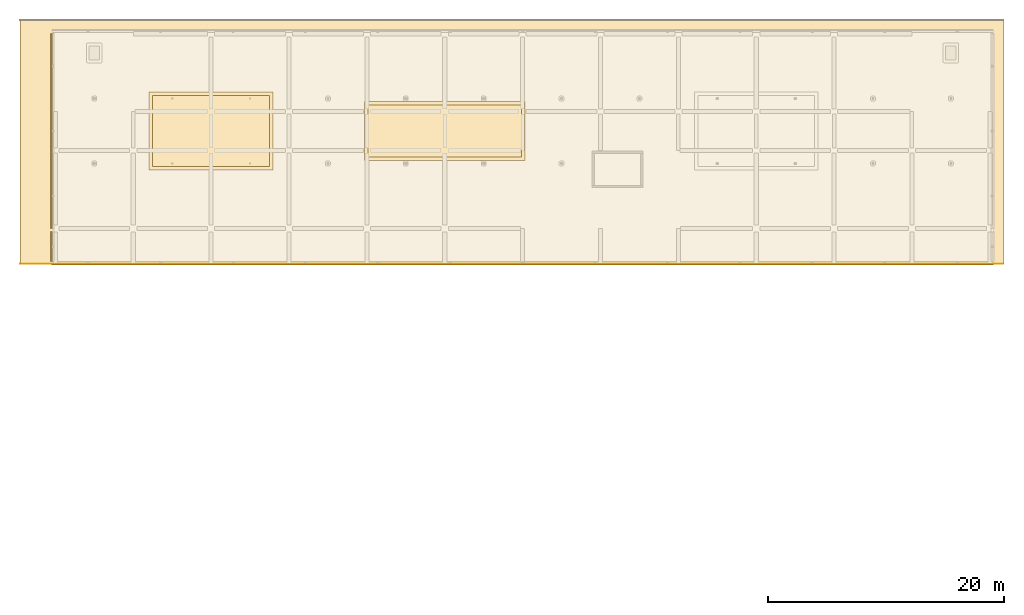
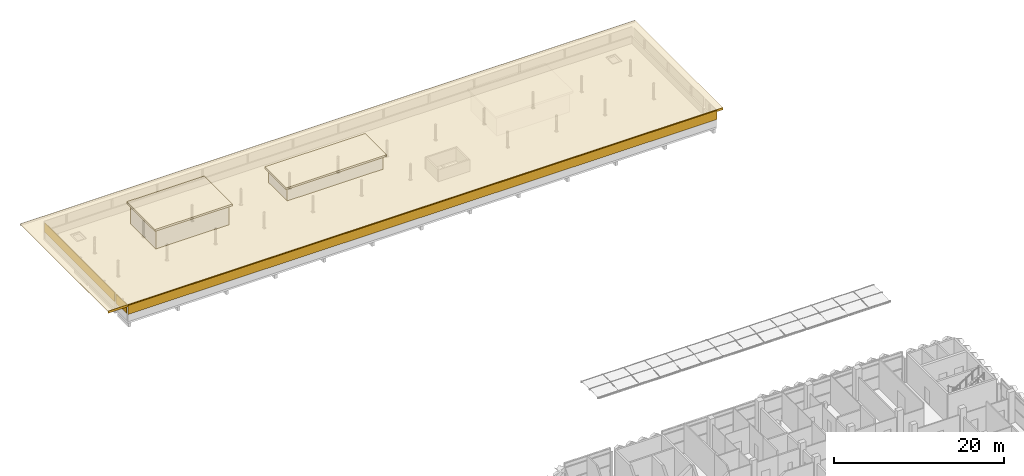
# One storey, part 59 of 61: 10 coverings.
"""IFC4 building model written with IfcOpenShell, lengths in metres."""

import ifcopenshell
import ifcopenshell.guid

model = None  # the IFC model being written
_history = None  # IfcOwnerHistory: only IFC2X3 demands one
_inside = {}  # id of a spatial element -> (the spatial element, [elements in it])
_under = {}  # id of a project, library or spatial element -> (it, [spatial elements below it])
_declared = {}  # id of a project -> (the project, [libraries it declares])
_typed = {}  # id of a type object -> (the type object, [elements of that type])
_made_of = {}  # id of a material, layer set ... -> (it, [elements and type objects made of it])


def new_model(schema):
    """Start an empty IFC model of exactly this schema.

    Asked for "IFC4X3", IfcOpenShell would pick the latest addendum, in which some entities
    have other attributes; the version numbers below select the first issue.
    IFC2X3 requires an IfcOwnerHistory on every rooted entity: one is made here for all.
    """
    global model, _history
    if schema == "IFC4X3":
        model = ifcopenshell.file(schema_version=(4, 3, 0, 0))
    else:
        model = ifcopenshell.file(schema=schema)
    _inside.clear()
    _under.clear()
    _declared.clear()
    _typed.clear()
    _made_of.clear()
    _history = None
    if model.schema == "IFC2X3":
        org = make("IfcOrganization", Name="unknown")
        user = make(
            "IfcPersonAndOrganization",
            ThePerson=make("IfcPerson", FamilyName="unknown"),
            TheOrganization=org,
        )
        app = make(
            "IfcApplication",
            ApplicationDeveloper=org,
            Version="unknown",
            ApplicationFullName="unknown",
            ApplicationIdentifier="unknown",
        )
        _history = make(
            "IfcOwnerHistory",
            OwningUser=user,
            OwningApplication=app,
            ChangeAction="ADDED",
            CreationDate=0,
        )
    return model


def make(cls, **values):
    """One entity of the class cls with the attributes given. An attribute that is None is left unset."""
    return model.create_entity(
        cls, **{name: value for name, value in values.items() if value is not None}
    )


def rooted(cls, **values):
    """An entity with a GlobalId (a new one), such as an element, a storey or a relation."""
    return make(cls, GlobalId=ifcopenshell.guid.new(), OwnerHistory=_history, **values)


def si_unit(unit_type, name, prefix=None):
    """IfcSIUnit, for example si_unit("LENGTHUNIT", "METRE", prefix="MILLI")."""
    return make("IfcSIUnit", UnitType=unit_type, Prefix=prefix, Name=name)


def assignment(units):
    """IfcUnitAssignment: the units of a project."""
    return None if units is None else make("IfcUnitAssignment", Units=units)


def point(xyz):
    """IfcCartesianPoint."""
    return None if xyz is None else make("IfcCartesianPoint", Coordinates=xyz)


def direction(xyz):
    """IfcDirection."""
    return None if xyz is None else make("IfcDirection", DirectionRatios=xyz)


def frame(location, z_axis=None, x_axis=None):
    """IfcAxis2Placement3D, a coordinate frame: its origin and axes. An axis left out is left unset."""
    return make(
        "IfcAxis2Placement3D",
        Location=point(location),
        Axis=direction(z_axis),
        RefDirection=direction(x_axis),
    )


def frame_2d(location, x_axis=None):
    """IfcAxis2Placement2D, a coordinate frame in the plane: its origin and x axis."""
    return make(
        "IfcAxis2Placement2D", Location=point(location), RefDirection=direction(x_axis)
    )


def origin():
    """The frame at (0, 0, 0) with its axes left unset."""
    return frame((0.0, 0.0, 0.0))


def origin_2d():
    """The frame at (0, 0) in the plane with its x axis left unset."""
    return frame_2d((0.0, 0.0))


def place(relative_to, where):
    """IfcLocalPlacement: puts the frame where relative to a parent placement (None: the world)."""
    return make(
        "IfcLocalPlacement", PlacementRelTo=relative_to, RelativePlacement=where
    )


def context(
    kind, dimensions, precision=None, world=None, true_north=None, identifier=None
):
    """IfcGeometricRepresentationContext, for example the 3D "Model" context."""
    return make(
        "IfcGeometricRepresentationContext",
        ContextIdentifier=identifier,
        ContextType=kind,
        CoordinateSpaceDimension=dimensions,
        Precision=precision,
        WorldCoordinateSystem=world,
        TrueNorth=true_north,
    )


def subcontext(parent, identifier, kind, view, scale=None):
    """IfcGeometricRepresentationSubContext, for example "Body" below "Model"."""
    return make(
        "IfcGeometricRepresentationSubContext",
        ContextIdentifier=identifier,
        ContextType=kind,
        ParentContext=parent,
        TargetScale=scale,
        TargetView=view,
    )


def project(units=None, contexts=None):
    """IfcProject with its units and contexts."""
    return rooted(
        "IfcProject",
        Name="project",
        RepresentationContexts=contexts,
        UnitsInContext=assignment(units),
    )


def spatial(cls, under=None, at=None, **own):
    """A site, building, storey or space (cls), placed at a placement, below another one or the project."""
    s = rooted(cls, ObjectPlacement=at, **own)
    if under is not None:
        _under.setdefault(under.id(), (under, []))[1].append(s)
    return s


def polyline(points):
    """IfcPolyline through the points."""
    return make("IfcPolyline", Points=[point(p) for p in points])


def profile(cls, at=None, kind="AREA", **sizes):
    """A parametric profile (cls). Its sizes go by their IFC names, for example OverallWidth=200.0."""
    return make(cls, ProfileType=kind, Position=at, **sizes)


def rectangle(**sizes):
    """IfcRectangleProfileDef."""
    return profile("IfcRectangleProfileDef", **sizes)


def outline(outer, holes=None, kind="AREA"):
    """IfcArbitraryClosedProfileDef: a profile drawn as a closed curve; with holes, ...WithVoids."""
    if holes is None:
        return make("IfcArbitraryClosedProfileDef", ProfileType=kind, OuterCurve=outer)
    return make(
        "IfcArbitraryProfileDefWithVoids",
        ProfileType=kind,
        OuterCurve=outer,
        InnerCurves=holes,
    )


def extrude(swept, where, along, depth):
    """IfcExtrudedAreaSolid: the profile swept, set in the frame where, extruded along a direction by depth."""
    return make(
        "IfcExtrudedAreaSolid",
        SweptArea=swept,
        Position=where,
        ExtrudedDirection=direction(along),
        Depth=depth,
    )


def shape(context_of_items, identifier, shape_type, items):
    """IfcShapeRepresentation: the items that make up one representation, for example the "Body"."""
    return make(
        "IfcShapeRepresentation",
        ContextOfItems=context_of_items,
        RepresentationIdentifier=identifier,
        RepresentationType=shape_type,
        Items=items,
    )


def material(Name=None, Category=None):
    """IfcMaterial."""
    return make("IfcMaterial", Name=Name, Category=Category)


def layer(
    of_material, thickness, ventilated=None, Name=None, Category=None, Priority=None
):
    """IfcMaterialLayer: one layer of a wall or slab, of a material (None: an air gap)."""
    return make(
        "IfcMaterialLayer",
        Material=of_material,
        LayerThickness=thickness,
        IsVentilated=ventilated,
        Name=Name,
        Category=Category,
        Priority=Priority,
    )


def layer_set(layers, Name=None):
    """IfcMaterialLayerSet."""
    return make("IfcMaterialLayerSet", MaterialLayers=layers, LayerSetName=Name)


def made_of(thing, what):
    """Note that an element or type object is made of a material, layer set ...; save() writes the relation."""
    if what is not None:
        _made_of.setdefault(what.id(), (what, []))[1].append(thing)
    return thing


def type_object(cls, material=None, **own):
    """A type object (cls), such as IfcWallType, which elements share."""
    return made_of(rooted(cls, **own), material)


def element(
    cls,
    number,
    at=None,
    inside=None,
    cuts=None,
    type_object=None,
    material=None,
    context=None,
    identifier="Body",
    shape_type=None,
    held_by="IfcProductDefinitionShape",
    body=None,
    shapes=None,
    **own,
):
    """One element of the class cls, such as IfcWall. Its Tag is "e" and its number.

    at: its placement. inside: the storey or other place that contains it. cuts: it is an
    opening in that element (IfcRelVoidsElement). A single representation is given by context,
    identifier, shape_type and body (its items); several are given by shapes. held_by: the class
    of the entity that holds the representations. save() writes the other relations.
    """
    e = rooted(cls, Tag="e%d" % number, ObjectPlacement=at, **own)
    if body is not None:
        shapes = [shape(context, identifier, shape_type, body)]
    if shapes is not None:
        e.Representation = make(held_by, Representations=shapes)
    if inside is not None:
        _inside.setdefault(inside.id(), (inside, []))[1].append(e)
    if cuts is not None:
        rooted(
            "IfcRelVoidsElement", RelatingBuildingElement=cuts, RelatedOpeningElement=e
        )
    if type_object is not None:
        _typed.setdefault(type_object.id(), (type_object, []))[1].append(e)
    return made_of(e, material)


def aggregate(whole, parts):
    """IfcRelAggregates: a whole, such as a stair, and the parts it consists of."""
    return rooted("IfcRelAggregates", RelatingObject=whole, RelatedObjects=parts)


def save(model, path):
    """Write the relations noted so far, then the file.

    IfcRelAggregates (storeys below a building ...), IfcRelContainedInSpatialStructure (elements
    in a storey), IfcRelDefinesByType, IfcRelAssociatesMaterial and IfcRelDeclares: one each for
    every whole, place, type object, material and project.
    """
    for whole, parts in _under.values():
        aggregate(whole, parts)
    for where, things in _inside.values():
        rooted(
            "IfcRelContainedInSpatialStructure",
            RelatedElements=things,
            RelatingStructure=where,
        )
    for kind, things in _typed.values():
        rooted("IfcRelDefinesByType", RelatedObjects=things, RelatingType=kind)
    for what, things in _made_of.values():
        rooted("IfcRelAssociatesMaterial", RelatedObjects=things, RelatingMaterial=what)
    for by, libraries in _declared.values():
        rooted("IfcRelDeclares", RelatingContext=by, RelatedDefinitions=libraries)
    model.write(path)


model = new_model("IFC4")

# Units and contexts
model_context = context("Model", 3, precision=1e-05, world=origin(), true_north=direction((0.0, 1.0)))
body_context = subcontext(model_context, "Body", "Model", "MODEL_VIEW")
ifc_project = project(units=[si_unit("LENGTHUNIT", "METRE"), si_unit("AREAUNIT", "SQUARE_METRE"), si_unit("VOLUMEUNIT", "CUBIC_METRE"), si_unit("PLANEANGLEUNIT", "RADIAN"), si_unit("MASSUNIT", "GRAM", prefix="KILO")], contexts=[model_context])

# Site, building, storey
site_placement = place(None, origin())
site = spatial("IfcSite", under=ifc_project, at=site_placement, CompositionType="ELEMENT")
building_placement = place(site_placement, origin())
building = spatial("IfcBuilding", under=site, at=building_placement, Name="Lantern Court Research Institute", CompositionType="ELEMENT")
storey_placement = place(building_placement, frame((0.0, 0.0, 23.39990234375)))
storey = spatial("IfcBuildingStorey", under=building, at=storey_placement, Name="L05", CompositionType="ELEMENT", Elevation=23.39990234375)

# Coverings
ifc_material_1 = material(Name="Anodised aluminium", Category="aluminium")
ifc_layer_1 = layer(ifc_material_1, 0.02001953125)
ifc_layer_set_1 = layer_set([ifc_layer_1], Name="Anodised aluminium")
covering_type_1 = type_object("IfcCoveringType", Name="Eaves soffit lining 20 aluminium", PredefinedType="CLADDING", material=ifc_layer_set_1)
covering_1_placement = place(storey_placement, frame((-3.0, 79.5, 2.39013671875), z_axis=(0.0, 0.0, 1.0), x_axis=(1.0, 0.0, 0.0)))
element("IfcCovering", 1, at=covering_1_placement, inside=storey, type_object=covering_type_1, Name="Eaves soffit lining V6 1", PredefinedType="CLADDING", context=body_context, shape_type="SweptSolid", body=[
    extrude(outline(polyline([(0.0, 0.0), (83.35009765625, 0.0), (83.35009765625, 20.64990234375), (0.0, 20.64990234375), (0.0, 0.0)])), origin(), (0.0, 0.0, -1.0), 0.02001953125),
])
ifc_material_2 = material(Name="Aluminium composite panel with mineral wool insulation", Category="aluminium")
ifc_layer_2 = layer(ifc_material_2, 0.10009765625)
ifc_layer_set_2 = layer_set([ifc_layer_2], Name="Aluminium composite panel with mineral wool insulation")
covering_type_2 = type_object("IfcCoveringType", Name="Parapet cornice strip 100 aluminium composite", PredefinedType="CLADDING", material=ifc_layer_set_2)
covering_2_placement = place(storey_placement, frame((-0.27490234375, 99.0, -23.39990234375), z_axis=(-1.0, 0.0, 0.0), x_axis=(0.0, -1.0, 0.0)))
element("IfcCovering", 2, at=covering_2_placement, inside=storey, type_object=covering_type_2, Name="Parapet cornice strip V6 12", PredefinedType="CLADDING", context=body_context, shape_type="SweptSolid", body=[
    extrude(outline(polyline([(0.0, 24.5), (16.5, 24.5), (16.5, 25.7900390625), (0.0, 25.7900390625), (0.0, 24.5)])), origin(), (0.0, 0.0, 1.0), 0.10009765625),
])
covering_3_placement = place(storey_placement, frame((-0.27490234375, 82.199951171875, -23.39990234375), z_axis=(-1.0, 0.0, 0.0), x_axis=(0.0, -1.0, 0.0)))
element("IfcCovering", 3, at=covering_3_placement, inside=storey, type_object=covering_type_2, Name="Parapet cornice strip V6 13", PredefinedType="CLADDING", context=body_context, shape_type="SweptSolid", body=[
    extrude(outline(polyline([(0.0, 24.5), (2.5, 24.5), (2.5, 25.7900390625), (0.0, 25.7900390625), (0.0, 24.5)])), origin(), (0.0, 0.0, 1.0), 0.10009765625),
])
covering_4_placement = place(storey_placement, frame((-0.300048828125, 79.52490234375, -23.39990234375), z_axis=(0.0, -1.0, 0.0), x_axis=(1.0, 0.0, 0.0)))
element("IfcCovering", 4, at=covering_4_placement, inside=storey, type_object=covering_type_2, Name="Parapet cornice strip V6 14", PredefinedType="CLADDING", context=body_context, shape_type="SweptSolid", body=[
    extrude(outline(polyline([(0.0, 24.5), (79.800048828125, 24.5), (79.800048828125, 25.7900390625), (0.0, 25.7900390625), (0.0, 24.5)])), origin(), (0.0, 0.0, 1.0), 0.10009765625),
])
ifc_material_3 = material(Name="Anodised aluminium", Category="aluminium")
ifc_layer_3 = layer(ifc_material_3, 0.06005859375)
ifc_layer_set_3 = layer_set([ifc_layer_3], Name="Anodised aluminium")
covering_type_3 = type_object("IfcCoveringType", Name="Parasol roof sheet 60 standing-seam aluminium", PredefinedType="ROOFING", material=ifc_layer_set_3)
covering_5_placement = place(storey_placement, frame((-3.0, 79.5, 2.4501953125), z_axis=(0.0, 0.0, 1.0), x_axis=(1.0, 0.0, 0.0)))
element("IfcCovering", 5, at=covering_5_placement, inside=storey, type_object=covering_type_3, Name="Parasol roof sheet V6 1", PredefinedType="ROOFING", context=body_context, shape_type="SweptSolid", body=[
    extrude(outline(polyline([(0.0, 0.0), (83.35009765625, 0.0), (83.35009765625, 20.64990234375), (0.0, 20.64990234375), (0.0, 0.0)])), origin(), (0.0, 0.0, -1.0), 0.06005859375),
])
ifc_material_4 = material(Name="Anodised aluminium", Category="aluminium")
ifc_layer_4 = layer(ifc_material_4, 0.030029296875)
ifc_layer_set_4 = layer_set([ifc_layer_4], Name="Anodised aluminium")
covering_type_4 = type_object("IfcCoveringType", Name="Roof fascia 30 x 300 aluminium", PredefinedType="CLADDING", material=ifc_layer_set_4)
covering_6_placement = place(storey_placement, frame((-3.0, 79.5048828125, 2.150146484375), z_axis=(0.0, 0.0, 1.0), x_axis=(1.0, 0.0, 0.0)))
element("IfcCovering", 6, at=covering_6_placement, inside=storey, type_object=covering_type_4, Name="Roof fascia V6 S", PredefinedType="CLADDING", context=body_context, shape_type="SweptSolid", body=[
    extrude(rectangle(XDim=83.35009765625, YDim=0.030029296875, at=frame_2d((41.675048828125, 0.0))), origin(), (0.0, 0.0, 1.0), 0.33984375),
])
ifc_material_5 = material(Name="Aluminium composite panel with mineral wool insulation", Category="aluminium")
ifc_layer_5 = layer(ifc_material_5, 0.10009765625)
ifc_layer_set_5 = layer_set([ifc_layer_5], Name="Aluminium composite panel with mineral wool insulation")
covering_type_5 = type_object("IfcCoveringType", Name="Tower crown cladding 100 aluminium composite", PredefinedType="CLADDING", material=ifc_layer_set_5)
covering_7_placement = place(storey_placement, frame((13.199951171875, 90.75, 2.420166015625), z_axis=(0.0, 0.0, 1.0), x_axis=(1.0, 0.0, 0.0)))
element("IfcCovering", 7, at=covering_7_placement, inside=storey, type_object=covering_type_5, Name="Roof pavilion 1", PredefinedType="CLADDING", context=body_context, shape_type="SweptSolid", body=[
    extrude(rectangle(XDim=9.89990234375, YDim=6.0, at=origin_2d()), origin(), (0.0, 0.0, 1.0), 2.830078125),
])
covering_8_placement = place(storey_placement, frame((13.199951171875, 90.75, 5.25), z_axis=(0.0, 0.0, 1.0), x_axis=(1.0, 0.0, 0.0)))
element("IfcCovering", 8, at=covering_8_placement, inside=storey, type_object=covering_type_5, Name="Roof pavilion cornice 1", PredefinedType="CLADDING", context=body_context, shape_type="SweptSolid", body=[
    extrude(rectangle(XDim=10.5, YDim=6.60009765625, at=origin_2d()), origin(), (0.0, 0.0, 1.0), 0.25),
])
covering_9_placement = place(storey_placement, frame((33.0, 90.75, 2.419921875), z_axis=(0.0, 0.0, 1.0), x_axis=(1.0, 0.0, 0.0)))
element("IfcCovering", 9, at=covering_9_placement, inside=storey, type_object=covering_type_5, Name="Roof pavilion 2", PredefinedType="CLADDING", context=body_context, shape_type="SweptSolid", body=[
    extrude(rectangle(XDim=13.0, YDim=4.39990234375, at=origin_2d()), origin(), (0.0, 0.0, 1.0), 1.929931640625),
])
covering_10_placement = place(storey_placement, frame((33.0, 90.75, 4.35009765625), z_axis=(0.0, 0.0, 1.0), x_axis=(1.0, 0.0, 0.0)))
element("IfcCovering", 10, at=covering_10_placement, inside=storey, type_object=covering_type_5, Name="Roof pavilion cornice 2", PredefinedType="CLADDING", context=body_context, shape_type="SweptSolid", body=[
    extrude(rectangle(XDim=13.60009765625, YDim=5.0, at=origin_2d()), origin(), (0.0, 0.0, 1.0), 0.25),
])

save(model, "model.ifc")
